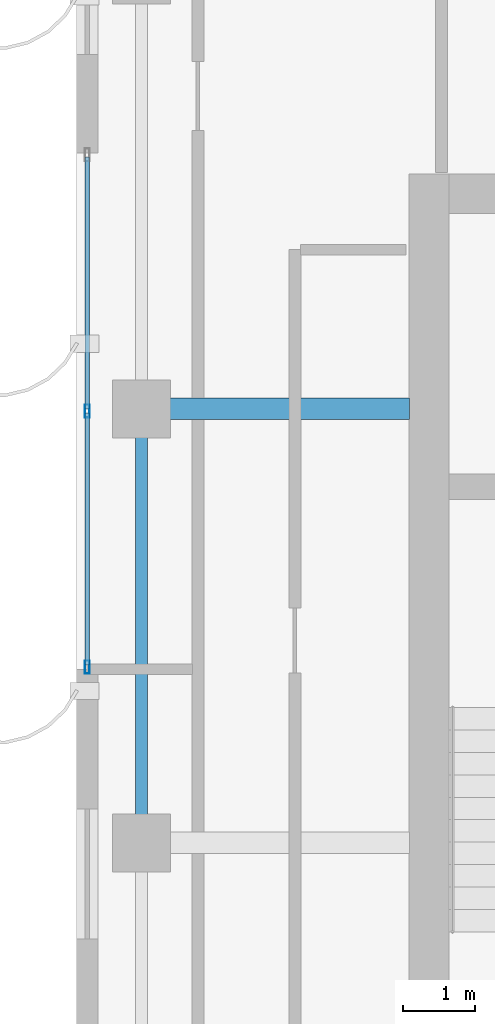
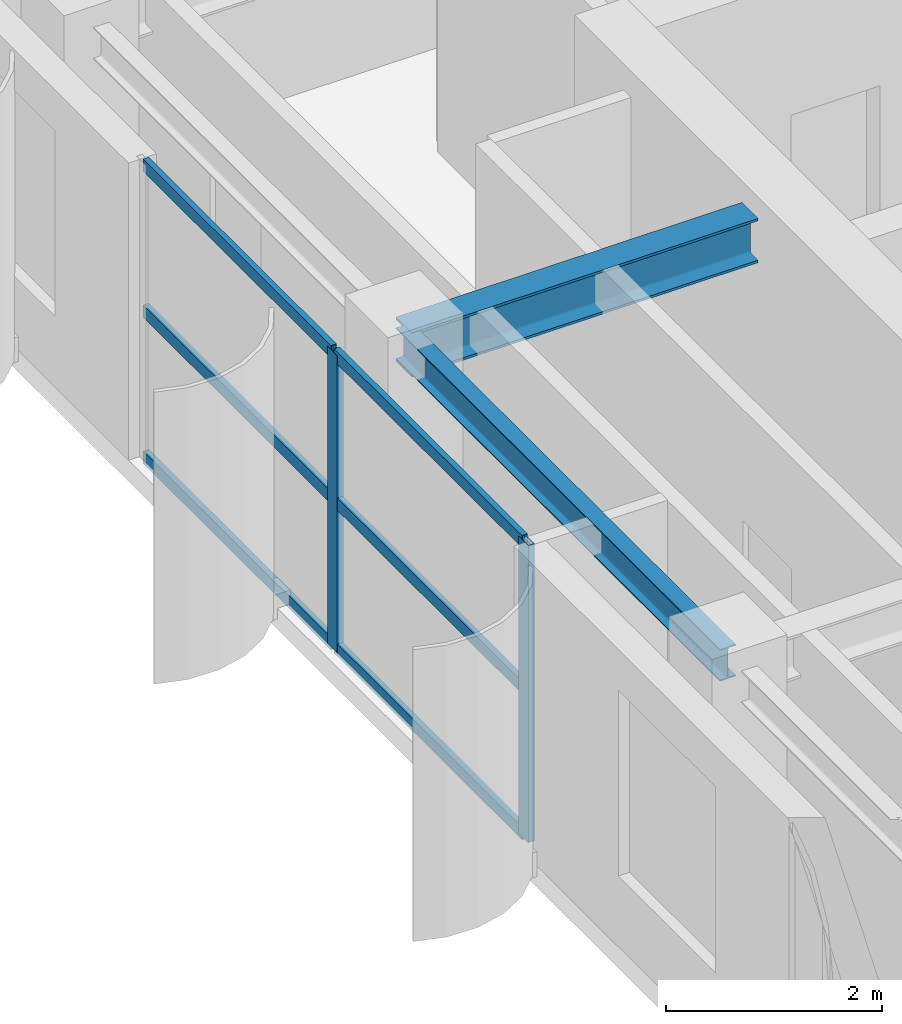
# One storey, part 5 of 23: 8 members, 2 beams, 1 element without a shape of its own.
"""IFC4 building model written with IfcOpenShell, lengths in metres."""

from ifc_helpers import new_model, si_unit, direction, frame, origin, origin_2d, place, context, subcontext, project, spatial, hollow_rectangle, i_section, extrude, source, transform, mapped, material, layer, layer_set, material_profile, profile_set, type_object, element, aggregate, save


model = new_model("IFC4")

# Units and contexts
model_context = context("Model", 3, precision=1e-05, world=origin(), true_north=direction((0.0, 1.0)))
body_context = subcontext(model_context, "Body", "Model", "MODEL_VIEW")
ifc_project = project(units=[si_unit("LENGTHUNIT", "METRE"), si_unit("AREAUNIT", "SQUARE_METRE"), si_unit("VOLUMEUNIT", "CUBIC_METRE"), si_unit("PLANEANGLEUNIT", "RADIAN"), si_unit("MASSUNIT", "GRAM", prefix="KILO")], contexts=[model_context])

# Site, building, storey
site_placement = place(None, origin())
site = spatial("IfcSite", under=ifc_project, at=site_placement, CompositionType="ELEMENT")
building_placement = place(site_placement, origin())
building = spatial("IfcBuilding", under=site, at=building_placement, Name="Khoralis Quay Care Tower", CompositionType="ELEMENT")
storey_placement = place(building_placement, frame((0.0, 0.0, 245.699951171875)))
storey = spatial("IfcBuildingStorey", under=building, at=storey_placement, Name="L64", CompositionType="ELEMENT", Elevation=245.699951171875)

# Beams
ifc_material_1 = material(Name="Steel S355", Category="steel")
ifc_material_profile_1 = material_profile(ifc_material_1, i_section(OverallWidth=0.169921875, OverallDepth=0.360107421875, WebThickness=0.008056640625, FlangeThickness=0.0126953125, FilletRadius=0.01806640625, at=origin_2d()), Name="Steel S355")
ifc_profile_set_1 = profile_set([ifc_material_profile_1], Name="Steel S355")
beam_type_1 = type_object("IfcBeamType", Name="BM-IPE360", PredefinedType="SPANDREL", material=ifc_profile_set_1)
shared_shape_1 = source(origin(), body_context, "Body", "SweptSolid", [
    extrude(i_section(OverallWidth=0.169921875, OverallDepth=0.360107421875, WebThickness=0.008056640625, FlangeThickness=0.0126953125, FilletRadius=0.01806640625, at=origin_2d()), origin(), (0.0, 0.0, 1.0), 6.0),
])
beam_1_placement = place(storey_placement, frame((3.89990234375, 18.0, 3.179931640625), z_axis=(0.0, 1.0, 0.0), x_axis=(-1.0, 0.0, 0.0)))
element("IfcBeam", 1, at=beam_1_placement, inside=storey, type_object=beam_type_1, Name="BM-TSP-L64-06", PredefinedType="SPANDREL", context=body_context, shape_type="MappedRepresentation", body=[
    mapped(shared_shape_1, transform((0.0, 0.0, 0.0), scale=1.0)),
])
ifc_material_profile_2 = material_profile(ifc_material_1, i_section(OverallWidth=0.300048828125, OverallDepth=0.5, WebThickness=0.014404296875, FlangeThickness=0.028076171875, FilletRadius=0.027099609375, at=origin_2d()), Name="Steel S355")
ifc_profile_set_2 = profile_set([ifc_material_profile_2], Name="Steel S355")
beam_type_2 = type_object("IfcBeamType", Name="BM-HEB500", PredefinedType="BEAM", material=ifc_profile_set_2)
shared_shape_2 = source(origin(), body_context, "Body", "SweptSolid", [
    extrude(i_section(OverallWidth=0.300048828125, OverallDepth=0.5, WebThickness=0.014404296875, FlangeThickness=0.028076171875, FilletRadius=0.027099609375, at=origin_2d()), origin(), (0.0, 0.0, 1.0), 3.7021484375),
])
beam_2_placement = place(storey_placement, frame((3.89990234375, 24.0, 3.110107421875), z_axis=(1.0, 0.0, 0.0), x_axis=(0.0, 1.0, 0.0)))
element("IfcBeam", 2, at=beam_2_placement, inside=storey, type_object=beam_type_2, Name="BM-TGXW-L64-240", PredefinedType="BEAM", context=body_context, shape_type="MappedRepresentation", body=[
    mapped(shared_shape_2, transform((0.0, 0.0, 0.0), scale=1.0)),
])

# Curtain wall, members
ifc_material_2 = material(Name="Pale anodised aluminium", Category="aluminium")
ifc_layer = layer(ifc_material_2, 0.159912109375)
ifc_layer_set = layer_set([ifc_layer], Name="Pale anodised aluminium")
curtain_wall_type = type_object("IfcCurtainWallType", Name="CW-SYS-Z3", PredefinedType="NOTDEFINED", material=ifc_layer_set)
curtain_wall_placement = place(storey_placement, origin())
curtain_wall = element("IfcCurtainWall", 3, at=curtain_wall_placement, inside=storey, type_object=curtain_wall_type, Name="L64 Unitised Curtain Wall CW-L64-P1-E7", PredefinedType="NOTDEFINED")
ifc_material_profile_3 = material_profile(ifc_material_2, hollow_rectangle(XDim=0.06494140625, YDim=0.179931640625, WallThickness=0.00390625, at=origin_2d()), Name="Pale anodised aluminium")
ifc_profile_set_3 = profile_set([ifc_material_profile_3], Name="Pale anodised aluminium")
member_type_1 = type_object("IfcMemberType", Name="CW-MUL-180", PredefinedType="MULLION", material=ifc_profile_set_3)
shared_shape_3 = source(origin(), body_context, "Body", "SweptSolid", [
    extrude(hollow_rectangle(XDim=0.06494140625, YDim=0.179931640625, WallThickness=0.00390625, at=origin_2d()), origin(), (0.0, 0.0, 1.0), 3.360107421875),
])
member_1_placement = place(storey_placement, frame((3.14990234375, 23.969970703125, 0.0), z_axis=(0.0, 0.0, 1.0), x_axis=(1.0, 0.0, 0.0)))
member_1 = element("IfcMember", 4, at=member_1_placement, type_object=member_type_1, Name="CW3 mullion 2", PredefinedType="MULLION", context=body_context, shape_type="MappedRepresentation", body=[
    mapped(shared_shape_3, transform((0.0, 0.0, 0.0), scale=1.0)),
])
member_2_placement = place(storey_placement, frame((3.14990234375, 20.429931640625, 0.0), z_axis=(0.0, 0.0, 1.0), x_axis=(1.0, 0.0, 0.0)))
member_2 = element("IfcMember", 5, at=member_2_placement, type_object=member_type_1, Name="CW3 mullion 3", PredefinedType="MULLION", context=body_context, shape_type="MappedRepresentation", body=[
    mapped(shared_shape_3, transform((0.0, 0.0, 0.0), scale=1.0)),
])
ifc_material_profile_4 = material_profile(ifc_material_2, hollow_rectangle(XDim=0.06005859375, YDim=0.139892578125, WallThickness=0.00390625, at=origin_2d()), Name="Pale anodised aluminium")
ifc_profile_set_4 = profile_set([ifc_material_profile_4], Name="Pale anodised aluminium")
member_type_2 = type_object("IfcMemberType", Name="CW-TRN-140", PredefinedType="USERDEFINED", material=ifc_profile_set_4)
shared_shape_4 = source(origin(), body_context, "Body", "SweptSolid", [
    extrude(hollow_rectangle(XDim=0.06005859375, YDim=0.139892578125, WallThickness=0.00390625, at=origin_2d()), origin(), (0.0, 0.0, 1.0), 3.47998046875),
])
member_3_placement = place(storey_placement, frame((3.14990234375, 27.47998046875, 0.030029296875), z_axis=(0.0, -1.0, 0.0), x_axis=(1.0, 0.0, 0.0)))
member_3 = element("IfcMember", 6, at=member_3_placement, type_object=member_type_2, Name="CW3 transom 1.1", ObjectType="TRANSOM", PredefinedType="USERDEFINED", context=body_context, shape_type="MappedRepresentation", body=[
    mapped(shared_shape_4, transform((0.0, 0.0, 0.0), scale=1.0)),
])
member_4_placement = place(storey_placement, frame((3.14990234375, 27.47998046875, 1.679931640625), z_axis=(0.0, -1.0, 0.0), x_axis=(1.0, 0.0, 0.0)))
member_4 = element("IfcMember", 7, at=member_4_placement, type_object=member_type_2, Name="CW3 transom 1.2", ObjectType="TRANSOM", PredefinedType="USERDEFINED", context=body_context, shape_type="MappedRepresentation", body=[
    mapped(shared_shape_4, transform((0.0, 0.0, 0.0), scale=1.0)),
])
member_5_placement = place(storey_placement, frame((3.14990234375, 27.47998046875, 3.330078125), z_axis=(0.0, -1.0, 0.0), x_axis=(1.0, 0.0, 0.0)))
member_5 = element("IfcMember", 8, at=member_5_placement, type_object=member_type_2, Name="CW3 transom 1.3", ObjectType="TRANSOM", PredefinedType="USERDEFINED", context=body_context, shape_type="MappedRepresentation", body=[
    mapped(shared_shape_4, transform((0.0, 0.0, 0.0), scale=1.0)),
])
member_6_placement = place(storey_placement, frame((3.14990234375, 23.93994140625, 0.030029296875), z_axis=(0.0, -1.0, 0.0), x_axis=(1.0, 0.0, 0.0)))
member_6 = element("IfcMember", 9, at=member_6_placement, type_object=member_type_2, Name="CW3 transom 2.1", ObjectType="TRANSOM", PredefinedType="USERDEFINED", context=body_context, shape_type="MappedRepresentation", body=[
    mapped(shared_shape_4, transform((0.0, 0.0, 0.0), scale=1.0)),
])
member_7_placement = place(storey_placement, frame((3.14990234375, 23.93994140625, 1.679931640625), z_axis=(0.0, -1.0, 0.0), x_axis=(1.0, 0.0, 0.0)))
member_7 = element("IfcMember", 10, at=member_7_placement, type_object=member_type_2, Name="CW3 transom 2.2", ObjectType="TRANSOM", PredefinedType="USERDEFINED", context=body_context, shape_type="MappedRepresentation", body=[
    mapped(shared_shape_4, transform((0.0, 0.0, 0.0), scale=1.0)),
])
member_8_placement = place(storey_placement, frame((3.14990234375, 23.93994140625, 3.330078125), z_axis=(0.0, -1.0, 0.0), x_axis=(1.0, 0.0, 0.0)))
member_8 = element("IfcMember", 11, at=member_8_placement, type_object=member_type_2, Name="CW3 transom 2.3", ObjectType="TRANSOM", PredefinedType="USERDEFINED", context=body_context, shape_type="MappedRepresentation", body=[
    mapped(shared_shape_4, transform((0.0, 0.0, 0.0), scale=1.0)),
])
aggregate(curtain_wall, [member_1, member_2, member_3, member_4, member_5, member_6, member_7, member_8])

save(model, "model.ifc")
